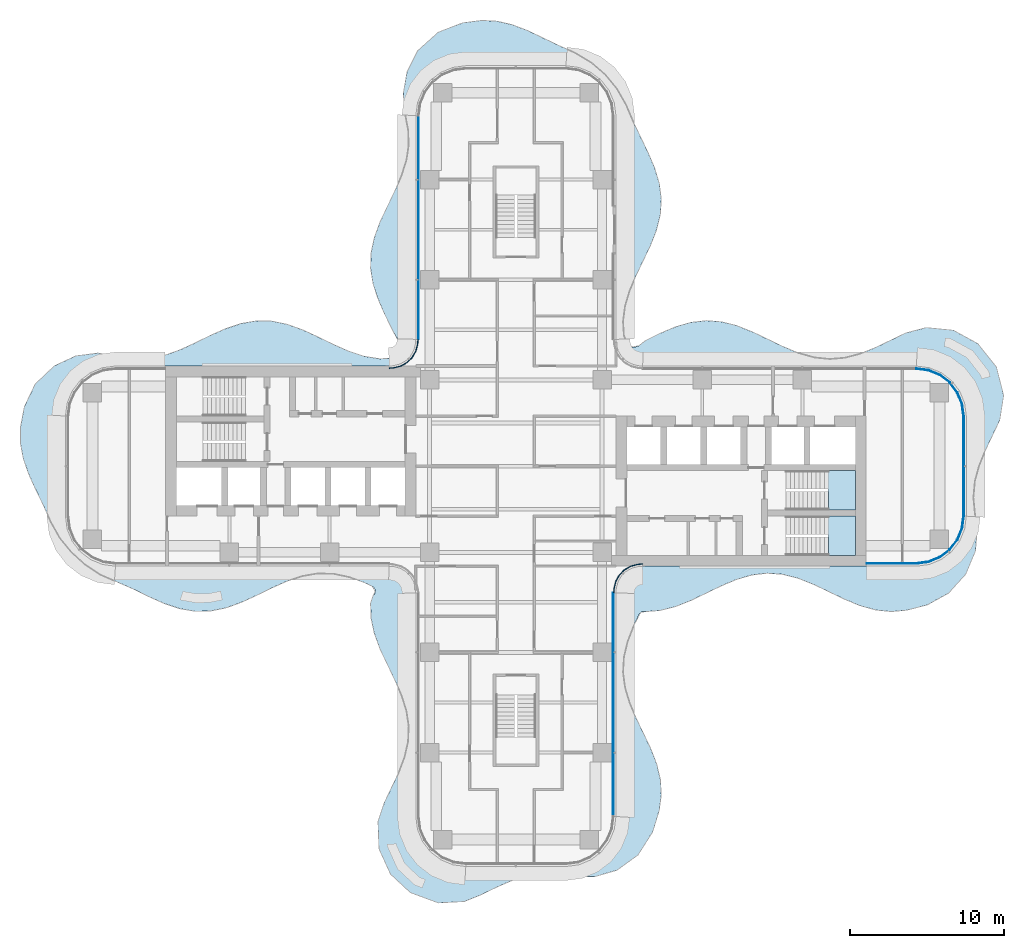
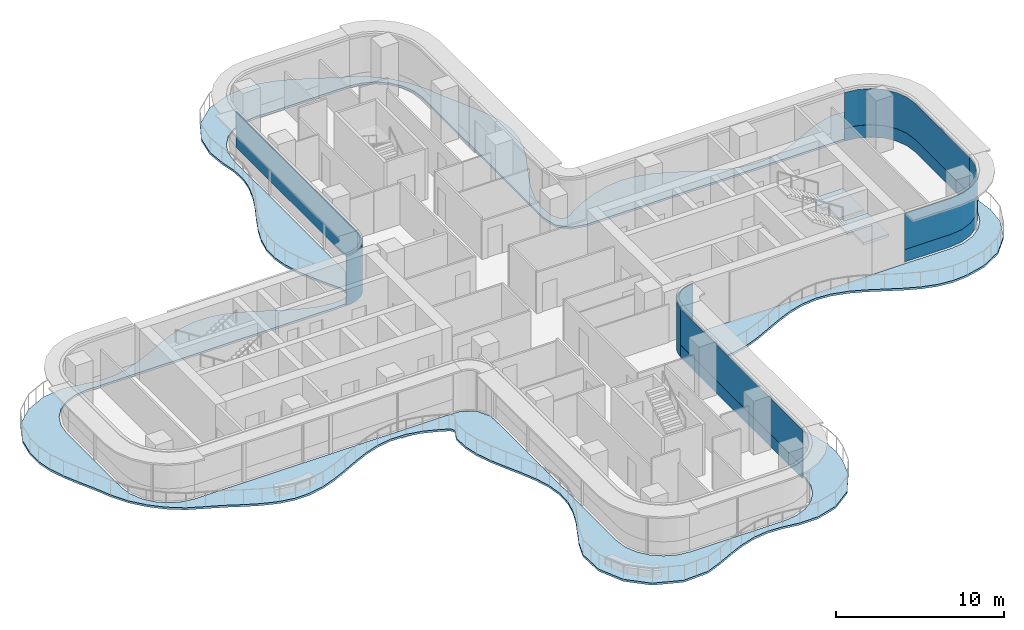
# One storey, part 10 of 17: 9 plates, 3 slabs, 8 elements without a shape of their own.
"""IFC4 building model written with IfcOpenShell, lengths in metres."""

import ifcopenshell
import ifcopenshell.guid

model = None  # the IFC model being written
_history = None  # IfcOwnerHistory: only IFC2X3 demands one
_inside = {}  # id of a spatial element -> (the spatial element, [elements in it])
_under = {}  # id of a project, library or spatial element -> (it, [spatial elements below it])
_declared = {}  # id of a project -> (the project, [libraries it declares])
_typed = {}  # id of a type object -> (the type object, [elements of that type])
_made_of = {}  # id of a material, layer set ... -> (it, [elements and type objects made of it])


def new_model(schema):
    """Start an empty IFC model of exactly this schema.

    Asked for "IFC4X3", IfcOpenShell would pick the latest addendum, in which some entities
    have other attributes; the version numbers below select the first issue.
    IFC2X3 requires an IfcOwnerHistory on every rooted entity: one is made here for all.
    """
    global model, _history
    if schema == "IFC4X3":
        model = ifcopenshell.file(schema_version=(4, 3, 0, 0))
    else:
        model = ifcopenshell.file(schema=schema)
    _inside.clear()
    _under.clear()
    _declared.clear()
    _typed.clear()
    _made_of.clear()
    _history = None
    if model.schema == "IFC2X3":
        org = make("IfcOrganization", Name="unknown")
        user = make(
            "IfcPersonAndOrganization",
            ThePerson=make("IfcPerson", FamilyName="unknown"),
            TheOrganization=org,
        )
        app = make(
            "IfcApplication",
            ApplicationDeveloper=org,
            Version="unknown",
            ApplicationFullName="unknown",
            ApplicationIdentifier="unknown",
        )
        _history = make(
            "IfcOwnerHistory",
            OwningUser=user,
            OwningApplication=app,
            ChangeAction="ADDED",
            CreationDate=0,
        )
    return model


def make(cls, **values):
    """One entity of the class cls with the attributes given. An attribute that is None is left unset."""
    return model.create_entity(
        cls, **{name: value for name, value in values.items() if value is not None}
    )


def rooted(cls, **values):
    """An entity with a GlobalId (a new one), such as an element, a storey or a relation."""
    return make(cls, GlobalId=ifcopenshell.guid.new(), OwnerHistory=_history, **values)


def si_unit(unit_type, name, prefix=None):
    """IfcSIUnit, for example si_unit("LENGTHUNIT", "METRE", prefix="MILLI")."""
    return make("IfcSIUnit", UnitType=unit_type, Prefix=prefix, Name=name)


def assignment(units):
    """IfcUnitAssignment: the units of a project."""
    return None if units is None else make("IfcUnitAssignment", Units=units)


def point(xyz):
    """IfcCartesianPoint."""
    return None if xyz is None else make("IfcCartesianPoint", Coordinates=xyz)


def direction(xyz):
    """IfcDirection."""
    return None if xyz is None else make("IfcDirection", DirectionRatios=xyz)


def frame(location, z_axis=None, x_axis=None):
    """IfcAxis2Placement3D, a coordinate frame: its origin and axes. An axis left out is left unset."""
    return make(
        "IfcAxis2Placement3D",
        Location=point(location),
        Axis=direction(z_axis),
        RefDirection=direction(x_axis),
    )


def origin():
    """The frame at (0, 0, 0) with its axes left unset."""
    return frame((0.0, 0.0, 0.0))


def place(relative_to, where):
    """IfcLocalPlacement: puts the frame where relative to a parent placement (None: the world)."""
    return make(
        "IfcLocalPlacement", PlacementRelTo=relative_to, RelativePlacement=where
    )


def context(
    kind, dimensions, precision=None, world=None, true_north=None, identifier=None
):
    """IfcGeometricRepresentationContext, for example the 3D "Model" context."""
    return make(
        "IfcGeometricRepresentationContext",
        ContextIdentifier=identifier,
        ContextType=kind,
        CoordinateSpaceDimension=dimensions,
        Precision=precision,
        WorldCoordinateSystem=world,
        TrueNorth=true_north,
    )


def subcontext(parent, identifier, kind, view, scale=None):
    """IfcGeometricRepresentationSubContext, for example "Body" below "Model"."""
    return make(
        "IfcGeometricRepresentationSubContext",
        ContextIdentifier=identifier,
        ContextType=kind,
        ParentContext=parent,
        TargetScale=scale,
        TargetView=view,
    )


def project(units=None, contexts=None):
    """IfcProject with its units and contexts."""
    return rooted(
        "IfcProject",
        Name="project",
        RepresentationContexts=contexts,
        UnitsInContext=assignment(units),
    )


def spatial(cls, under=None, at=None, **own):
    """A site, building, storey or space (cls), placed at a placement, below another one or the project."""
    s = rooted(cls, ObjectPlacement=at, **own)
    if under is not None:
        _under.setdefault(under.id(), (under, []))[1].append(s)
    return s


def polyline(points):
    """IfcPolyline through the points."""
    return make("IfcPolyline", Points=[point(p) for p in points])


def outline(outer, holes=None, kind="AREA"):
    """IfcArbitraryClosedProfileDef: a profile drawn as a closed curve; with holes, ...WithVoids."""
    if holes is None:
        return make("IfcArbitraryClosedProfileDef", ProfileType=kind, OuterCurve=outer)
    return make(
        "IfcArbitraryProfileDefWithVoids",
        ProfileType=kind,
        OuterCurve=outer,
        InnerCurves=holes,
    )


def extrude(swept, where, along, depth):
    """IfcExtrudedAreaSolid: the profile swept, set in the frame where, extruded along a direction by depth."""
    return make(
        "IfcExtrudedAreaSolid",
        SweptArea=swept,
        Position=where,
        ExtrudedDirection=direction(along),
        Depth=depth,
    )


def shape(context_of_items, identifier, shape_type, items):
    """IfcShapeRepresentation: the items that make up one representation, for example the "Body"."""
    return make(
        "IfcShapeRepresentation",
        ContextOfItems=context_of_items,
        RepresentationIdentifier=identifier,
        RepresentationType=shape_type,
        Items=items,
    )


def source(mapping_origin, context_of_items, identifier, shape_type, items):
    """IfcRepresentationMap: a shape defined once, which mapped items show again and again."""
    return make(
        "IfcRepresentationMap",
        MappingOrigin=mapping_origin,
        MappedRepresentation=shape(context_of_items, identifier, shape_type, items),
    )


def transform(
    local_origin,
    x_axis=None,
    y_axis=None,
    z_axis=None,
    scale=None,
    scale2=None,
    scale3=None,
    uniform=True,
):
    """IfcCartesianTransformationOperator3D, or its non-uniform kind. x_axis, y_axis, z_axis: its Axis1, 2, 3."""
    if uniform:
        return make(
            "IfcCartesianTransformationOperator3D",
            Axis1=direction(x_axis),
            Axis2=direction(y_axis),
            LocalOrigin=point(local_origin),
            Scale=scale,
            Axis3=direction(z_axis),
        )
    return make(
        "IfcCartesianTransformationOperator3DnonUniform",
        Axis1=direction(x_axis),
        Axis2=direction(y_axis),
        LocalOrigin=point(local_origin),
        Scale=scale,
        Axis3=direction(z_axis),
        Scale2=scale2,
        Scale3=scale3,
    )


def mapped(mapping_source, mapping_target):
    """IfcMappedItem: shows the shape of a source again, moved by a transform."""
    return make(
        "IfcMappedItem", MappingSource=mapping_source, MappingTarget=mapping_target
    )


def material(Name=None, Category=None):
    """IfcMaterial."""
    return make("IfcMaterial", Name=Name, Category=Category)


def layer(
    of_material, thickness, ventilated=None, Name=None, Category=None, Priority=None
):
    """IfcMaterialLayer: one layer of a wall or slab, of a material (None: an air gap)."""
    return make(
        "IfcMaterialLayer",
        Material=of_material,
        LayerThickness=thickness,
        IsVentilated=ventilated,
        Name=Name,
        Category=Category,
        Priority=Priority,
    )


def layer_set(layers, Name=None):
    """IfcMaterialLayerSet."""
    return make("IfcMaterialLayerSet", MaterialLayers=layers, LayerSetName=Name)


def made_of(thing, what):
    """Note that an element or type object is made of a material, layer set ...; save() writes the relation."""
    if what is not None:
        _made_of.setdefault(what.id(), (what, []))[1].append(thing)
    return thing


def type_object(cls, material=None, **own):
    """A type object (cls), such as IfcWallType, which elements share."""
    return made_of(rooted(cls, **own), material)


def element(
    cls,
    number,
    at=None,
    inside=None,
    cuts=None,
    type_object=None,
    material=None,
    context=None,
    identifier="Body",
    shape_type=None,
    held_by="IfcProductDefinitionShape",
    body=None,
    shapes=None,
    **own,
):
    """One element of the class cls, such as IfcWall. Its Tag is "e" and its number.

    at: its placement. inside: the storey or other place that contains it. cuts: it is an
    opening in that element (IfcRelVoidsElement). A single representation is given by context,
    identifier, shape_type and body (its items); several are given by shapes. held_by: the class
    of the entity that holds the representations. save() writes the other relations.
    """
    e = rooted(cls, Tag="e%d" % number, ObjectPlacement=at, **own)
    if body is not None:
        shapes = [shape(context, identifier, shape_type, body)]
    if shapes is not None:
        e.Representation = make(held_by, Representations=shapes)
    if inside is not None:
        _inside.setdefault(inside.id(), (inside, []))[1].append(e)
    if cuts is not None:
        rooted(
            "IfcRelVoidsElement", RelatingBuildingElement=cuts, RelatedOpeningElement=e
        )
    if type_object is not None:
        _typed.setdefault(type_object.id(), (type_object, []))[1].append(e)
    return made_of(e, material)


def aggregate(whole, parts):
    """IfcRelAggregates: a whole, such as a stair, and the parts it consists of."""
    return rooted("IfcRelAggregates", RelatingObject=whole, RelatedObjects=parts)


def save(model, path):
    """Write the relations noted so far, then the file.

    IfcRelAggregates (storeys below a building ...), IfcRelContainedInSpatialStructure (elements
    in a storey), IfcRelDefinesByType, IfcRelAssociatesMaterial and IfcRelDeclares: one each for
    every whole, place, type object, material and project.
    """
    for whole, parts in _under.values():
        aggregate(whole, parts)
    for where, things in _inside.values():
        rooted(
            "IfcRelContainedInSpatialStructure",
            RelatedElements=things,
            RelatingStructure=where,
        )
    for kind, things in _typed.values():
        rooted("IfcRelDefinesByType", RelatedObjects=things, RelatingType=kind)
    for what, things in _made_of.values():
        rooted("IfcRelAssociatesMaterial", RelatedObjects=things, RelatingMaterial=what)
    for by, libraries in _declared.values():
        rooted("IfcRelDeclares", RelatingContext=by, RelatedDefinitions=libraries)
    model.write(path)


model = new_model("IFC4")

# Units and contexts
model_context = context("Model", 3, precision=1e-05, world=origin(), true_north=direction((0.0, 1.0)))
body_context = subcontext(model_context, "Body", "Model", "MODEL_VIEW")
ifc_project = project(units=[si_unit("LENGTHUNIT", "METRE"), si_unit("AREAUNIT", "SQUARE_METRE"), si_unit("VOLUMEUNIT", "CUBIC_METRE"), si_unit("PLANEANGLEUNIT", "RADIAN"), si_unit("MASSUNIT", "GRAM", prefix="KILO")], contexts=[model_context])

# Site, building, storey
site_placement = place(None, origin())
site = spatial("IfcSite", under=ifc_project, at=site_placement, CompositionType="ELEMENT")
building_placement = place(site_placement, origin())
building = spatial("IfcBuilding", under=site, at=building_placement, Name="Trellis Farm Tower", CompositionType="ELEMENT")
storey_placement = place(building_placement, frame((0.0, 0.0, 173.699951171875)))
storey = spatial("IfcBuildingStorey", under=building, at=storey_placement, Name="L37", CompositionType="ELEMENT", Elevation=173.699951171875)

# Slab
ifc_material_1 = material(Name="Concrete C40/50", Category="concrete")
ifc_layer_1 = layer(ifc_material_1, 0.14990234375)
ifc_layer_set_1 = layer_set([ifc_layer_1], Name="Balcony slab 150")
slab_type_1 = type_object("IfcSlabType", Name="Balcony slab 150", PredefinedType="FLOOR", material=ifc_layer_set_1)
slab_1_placement = place(storey_placement, frame((0.0, 0.0, -0.14990234375)))
element("IfcSlab", 1, at=slab_1_placement, inside=storey, type_object=slab_type_1, Name="Balcony slab", PredefinedType="FLOOR", context=body_context, shape_type="SweptSolid", body=[
    extrude(outline(polyline([(-9.12890625, -8.095947265625), (-9.172607421875, -7.94970703125), (-9.19482421875, -7.915283203125), (-9.318115234375, -7.808349609375), (-9.3359375, -7.796875), (-9.8720703125, -7.55078125), (-9.877685546875, -7.548583984375), (-10.83154296875, -7.202880859375), (-10.841552734375, -7.2001953125), (-11.82080078125, -6.993408203125), (-11.834716796875, -6.991943359375), (-12.8837890625, -6.970703125), (-12.89794921875, -6.971923828125), (-13.877685546875, -7.14208984375), (-13.888427734375, -7.144775390625), (-14.8369140625, -7.4609375), (-14.84375, -7.463623046875), (-15.848876953125, -7.91015625), (-15.851318359375, -7.911376953125), (-16.851318359375, -8.401123046875), (-16.854736328125, -8.40283203125), (-17.84130859375, -8.855712890625), (-17.853515625, -8.860595703125), (-18.831298828125, -9.210693359375), (-18.85205078125, -9.21630859375), (-19.822998046875, -9.412841796875), (-19.8505859375, -9.415771484375), (-20.8212890625, -9.431396484375), (-20.84912109375, -9.42919921875), (-21.826416015625, -9.259765625), (-21.8486328125, -9.254150390625), (-22.835205078125, -8.922119140625), (-22.848876953125, -8.916748046875), (-23.84423828125, -8.470458984375), (-23.848876953125, -8.46826171875), (-24.853271484375, -7.976318359375), (-24.856201171875, -7.974853515625), (-26.9853515625, -7.049072265625), (-27.0087890625, -7.036376953125), (-27.98779296875, -6.38427734375), (-28.005859375, -6.3701171875), (-28.8544921875, -5.59521484375), (-28.869140625, -5.579833984375), (-29.59130859375, -4.705810546875), (-29.606201171875, -4.68408203125), (-30.201416015625, -3.6279296875), (-30.2080078125, -3.61474609375), (-30.69677734375, -2.506103515625), (-30.697998046875, -2.503173828125), (-31.188232421875, -1.503173828125), (-31.190185546875, -1.4990234375), (-31.63720703125, -0.51318359375), (-31.642333984375, -0.50048828125), (-31.982177734375, 0.476806640625), (-31.98779296875, 0.498291015625), (-32.1708984375, 1.46875), (-32.173583984375, 1.496826171875), (-32.172119140625, 2.49951171875), (-32.16943359375, 2.52685546875), (-31.926513671875, 3.822265625), (-31.91455078125, 3.859375), (-31.210693359375, 5.330078125), (-31.19677734375, 5.353759765625), (-31.17578125, 5.38232421875), (-31.1572265625, 5.403564453125), (-30.00439453125, 6.4814453125), (-29.965576171875, 6.5078125), (-28.590087890625, 7.150390625), (-28.545654296875, 7.163330078125), (-27.14111328125, 7.341064453125), (-27.09814453125, 7.34033203125), (-24.82275390625, 6.97119140625), (-24.8095703125, 6.97021484375), (-23.823974609375, 6.9853515625), (-23.810791015625, 6.98681640625), (-22.880615234375, 7.170166015625), (-22.8701171875, 7.1728515625), (-21.840087890625, 7.53564453125), (-21.833740234375, 7.5380859375), (-20.848388671875, 7.9892578125), (-20.8466796875, 7.989990234375), (-19.85205078125, 8.4775390625), (-19.847412109375, 8.479736328125), (-18.867919921875, 8.918212890625), (-18.85400390625, 8.923583984375), (-17.85205078125, 9.259033203125), (-17.82958984375, 9.264892578125), (-16.8525390625, 9.430908203125), (-16.824462890625, 9.432861328125), (-15.853759765625, 9.413818359375), (-15.82666015625, 9.41064453125), (-14.879638671875, 9.217529296875), (-14.85888671875, 9.2119140625), (-13.856689453125, 8.8525390625), (-13.8447265625, 8.84765625), (-12.858154296875, 8.3935546875), (-12.854736328125, 8.391845703125), (-11.8544921875, 7.902099609375), (-11.851806640625, 7.90087890625), (-10.879150390625, 7.468505859375), (-10.872314453125, 7.4658203125), (-9.892333984375, 7.139892578125), (-9.880615234375, 7.13720703125), (-8.830078125, 6.967529296875), (-8.813720703125, 6.966796875), (-8.1044921875, 7.0107421875), (-8.07861328125, 7.01708984375), (-7.87744140625, 7.10791015625), (-7.85546875, 7.123046875), (-7.623046875, 7.355712890625), (-7.612060546875, 7.36962890625), (-7.540283203125, 7.487060546875), (-7.52978515625, 7.52001953125), (-7.51953125, 7.6572265625), (-7.520263671875, 7.675048828125), (-7.57373046875, 8.000244140625), (-7.576904296875, 8.0126953125), (-7.612060546875, 8.114013671875), (-7.617431640625, 8.12548828125), (-8.025146484375, 8.859619140625), (-8.02880859375, 8.86669921875), (-8.514404296875, 9.858642578125), (-8.51708984375, 9.864013671875), (-8.94873046875, 10.84228515625), (-8.9541015625, 10.8564453125), (-9.272216796875, 11.832275390625), (-9.27783203125, 11.85498046875), (-9.43408203125, 12.8251953125), (-9.43603515625, 12.853515625), (-9.408203125, 13.8251953125), (-9.405029296875, 13.852294921875), (-9.195068359375, 14.83154296875), (-9.189208984375, 14.85205078125), (-8.825439453125, 15.8408203125), (-8.82080078125, 15.85205078125), (-8.357421875, 16.849365234375), (-8.356201171875, 16.85205078125), (-7.871337890625, 17.843505859375), (-7.869873046875, 17.84619140625), (-7.438720703125, 18.830322265625), (-7.435791015625, 18.837890625), (-7.10791015625, 19.87158203125), (-7.10546875, 19.883056640625), (-6.964599609375, 20.809326171875), (-6.9638671875, 20.822998046875), (-6.996337890625, 21.815185546875), (-6.997802734375, 21.826904296875), (-7.205322265625, 22.910888671875), (-7.20751953125, 22.926513671875), (-7.312255859375, 24.1748046875), (-7.310546875, 24.213134765625), (-7.070068359375, 25.594970703125), (-7.055908203125, 25.63720703125), (-6.38134765625, 26.96826171875), (-6.365966796875, 26.99267578125), (-6.34375, 27.02099609375), (-6.324462890625, 27.04150390625), (-5.05908203125, 28.156494140625), (-5.03759765625, 28.172607421875), (-5.007568359375, 28.190673828125), (-4.9833984375, 28.202392578125), (-3.464599609375, 28.779296875), (-3.430419921875, 28.787841796875), (-2.24609375, 28.94091796875), (-2.219482421875, 28.942138671875), (-1.246826171875, 28.89404296875), (-1.220703125, 28.890380859375), (-0.271240234375, 28.671630859375), (-0.251953125, 28.665771484375), (0.74951171875, 28.287109375), (0.76123046875, 28.281982421875), (2.751708984375, 27.3291015625), (2.753173828125, 27.32861328125), (3.843017578125, 26.83544921875), (3.8583984375, 26.827392578125), (4.9150390625, 26.193115234375), (4.936279296875, 26.177734375), (5.802490234375, 25.4248046875), (5.81982421875, 25.406982421875), (6.5537109375, 24.513427734375), (6.568115234375, 24.492431640625), (7.149658203125, 23.470947265625), (7.157470703125, 23.45556640625), (7.63134765625, 22.343017578125), (7.6328125, 22.340087890625), (8.583984375, 20.356201171875), (8.586669921875, 20.350341796875), (9.00732421875, 19.36669921875), (9.012939453125, 19.351318359375), (9.30859375, 18.376708984375), (9.313720703125, 18.3525390625), (9.44384765625, 17.349609375), (9.44482421875, 17.32080078125), (9.3828125, 16.350830078125), (9.378662109375, 16.32470703125), (9.140380859375, 15.352294921875), (9.134521484375, 15.333740234375), (8.75341796875, 14.35400390625), (8.748779296875, 14.343505859375), (7.799560546875, 12.36572265625), (7.798095703125, 12.362548828125), (7.380615234375, 11.37890625), (7.3779296875, 11.37109375), (7.085205078125, 10.391357421875), (7.082763671875, 10.37939453125), (6.95703125, 9.39892578125), (6.95654296875, 9.385009765625), (7.014404296875, 8.460205078125), (7.017578125, 8.44287109375), (7.059814453125, 8.306396484375), (7.066650390625, 8.29052734375), (7.284912109375, 7.919677734375), (7.297119140625, 7.904052734375), (7.40771484375, 7.79638671875), (7.441650390625, 7.777587890625), (7.591552734375, 7.740966796875), (7.611328125, 7.739013671875), (7.77587890625, 7.743408203125), (7.799560546875, 7.748046875), (7.986328125, 7.81689453125), (8.0068359375, 7.828369140625), (8.39697265625, 8.13671875), (8.4228515625, 8.1533203125), (9.362060546875, 8.623046875), (9.37109375, 8.627197265625), (10.362060546875, 9.042236328125), (10.37841796875, 9.048095703125), (11.362060546875, 9.3310546875), (11.38671875, 9.3359375), (12.361083984375, 9.446044921875), (12.389892578125, 9.446533203125), (13.35986328125, 9.3701171875), (13.38525390625, 9.365966796875), (14.337158203125, 9.121826171875), (14.35498046875, 9.115966796875), (15.356689453125, 8.718994140625), (15.3662109375, 8.71484375), (17.343994140625, 7.764404296875), (17.34765625, 7.7626953125), (18.330810546875, 7.35302734375), (18.339111328125, 7.35009765625), (19.376220703125, 7.057861328125), (19.388916015625, 7.055419921875), (20.37841796875, 6.9541015625), (20.392822265625, 6.953857421875), (21.37451171875, 7.041015625), (21.386962890625, 7.043212890625), (22.32470703125, 7.28955078125), (22.33349609375, 7.29248046875), (23.357421875, 7.70166015625), (23.3623046875, 7.70361328125), (25.3193359375, 8.644775390625), (25.346435546875, 8.65478515625), (26.63671875, 8.991943359375), (26.6630859375, 8.996337890625), (26.697265625, 8.998779296875), (26.723876953125, 8.99853515625), (28.34130859375, 8.835205078125), (28.37060546875, 8.829345703125), (28.40771484375, 8.81787109375), (28.435302734375, 8.80615234375), (29.990478515625, 7.954345703125), (30.015625, 7.93701171875), (30.045654296875, 7.91162109375), (30.06689453125, 7.889404296875), (31.197265625, 6.438232421875), (31.2138671875, 6.411376953125), (31.231689453125, 6.374755859375), (31.2421875, 6.34521484375), (31.67041015625, 4.597412109375), (31.674560546875, 4.567626953125), (31.676025390625, 4.529296875), (31.674072265625, 4.49853515625), (31.427978515625, 3.018798828125), (31.415283203125, 2.97900390625), (30.470703125, 0.9912109375), (30.468994140625, 0.9873046875), (30.075927734375, 0.02392578125), (30.072998046875, 0.015380859375), (29.803955078125, -0.9638671875), (29.801513671875, -0.976806640625), (29.703857421875, -2.024658203125), (29.7041015625, -2.038818359375), (29.797119140625, -2.995361328125), (29.79736328125, -2.997802734375), (29.952392578125, -4.170654296875), (29.953125, -4.202880859375), (29.843017578125, -5.502197265625), (29.831787109375, -5.547607421875), (29.23193359375, -6.981201171875), (29.205078125, -7.023681640625), (28.13134765625, -8.220947265625), (28.09228515625, -8.252197265625), (26.719970703125, -9.009521484375), (26.684326171875, -9.0234375), (25.373046875, -9.3564453125), (25.349365234375, -9.360595703125), (24.3798828125, -9.447021484375), (24.351318359375, -9.447021484375), (23.377197265625, -9.347412109375), (23.35205078125, -9.3427734375), (22.349609375, -9.06201171875), (22.33251953125, -9.05615234375), (21.3505859375, -8.649169921875), (21.343017578125, -8.645751953125), (19.365478515625, -7.695068359375), (19.361083984375, -7.693115234375), (18.37890625, -7.2998046875), (18.36962890625, -7.296630859375), (17.33056640625, -7.029541015625), (17.3173828125, -7.02734375), (16.3291015625, -6.955078125), (16.31494140625, -6.955322265625), (15.333984375, -7.070556640625), (15.322021484375, -7.072998046875), (14.34228515625, -7.35693359375), (14.33447265625, -7.35986328125), (13.35107421875, -7.771484375), (13.347412109375, -7.773193359375), (11.369873046875, -8.723388671875), (11.35986328125, -8.727783203125), (10.358642578125, -9.122314453125), (10.340087890625, -9.12841796875), (9.358642578125, -9.374267578125), (9.33349609375, -9.37841796875), (8.484619140625, -9.44287109375), (8.444091796875, -9.4404296875), (8.39599609375, -9.430908203125), (8.37939453125, -9.429443359375), (8.251220703125, -9.4326171875), (8.219970703125, -9.4404296875), (8.11279296875, -9.494384765625), (8.087646484375, -9.514892578125), (8.0087890625, -9.615966796875), (8.0, -9.6298828125), (7.6513671875, -10.36669921875), (7.649169921875, -10.371826171875), (7.260498046875, -11.37451171875), (7.257568359375, -11.384033203125), (7.01708984375, -12.380615234375), (7.01513671875, -12.393798828125), (6.957275390625, -13.38134765625), (6.957763671875, -13.3955078125), (7.0869140625, -14.3759765625), (7.089599609375, -14.387939453125), (7.385009765625, -15.36767578125), (7.3876953125, -15.37548828125), (7.806884765625, -16.359130859375), (7.808349609375, -16.3623046875), (8.757080078125, -18.33984375), (8.76171875, -18.350830078125), (9.1474609375, -19.35205078125), (9.1533203125, -19.371337890625), (9.38623046875, -20.351806640625), (9.39013671875, -20.37841796875), (9.443115234375, -21.350830078125), (9.44189453125, -21.37939453125), (9.309814453125, -22.34912109375), (9.3046875, -22.37255859375), (8.8935546875, -23.721923828125), (8.877197265625, -23.758056640625), (7.971923828125, -25.20068359375), (7.954833984375, -25.222900390625), (7.930419921875, -25.24951171875), (7.90869140625, -25.2685546875), (6.6005859375, -26.22119140625), (6.55419921875, -26.243896484375), (5.157958984375, -26.65185546875), (5.1171875, -26.65771484375), (3.864501953125, -26.66796875), (3.84130859375, -26.66650390625), (2.76806640625, -26.5087890625), (2.760986328125, -26.508056640625), (1.788818359375, -26.457763671875), (1.77490234375, -26.458251953125), (0.783447265625, -26.592041015625), (0.771484375, -26.594482421875), (-0.26318359375, -26.913818359375), (-0.270751953125, -26.91650390625), (-1.254638671875, -27.3427734375), (-1.2578125, -27.34423828125), (-2.2490234375, -27.827880859375), (-2.2587890625, -27.83203125), (-3.344970703125, -28.2705078125), (-3.393798828125, -28.28125), (-5.0341796875, -28.361572265625), (-5.0654296875, -28.35986328125), (-5.103759765625, -28.353759765625), (-5.13330078125, -28.345703125), (-6.830322265625, -27.701416015625), (-6.8564453125, -27.6884765625), (-6.888671875, -27.66845703125), (-6.911865234375, -27.650634765625), (-8.1201171875, -26.5166015625), (-8.139404296875, -26.494384765625), (-8.161865234375, -26.463134765625), (-8.176513671875, -26.4375), (-8.87890625, -24.876220703125), (-8.888427734375, -24.848388671875), (-8.89697265625, -24.8115234375), (-8.900634765625, -24.782470703125), (-8.954345703125, -23.106201171875), (-8.95263671875, -23.079345703125), (-8.947509765625, -23.044677734375), (-8.941162109375, -23.018310546875), (-8.548095703125, -21.866943359375), (-8.54150390625, -21.8505859375), (-7.5947265625, -19.865478515625), (-7.592041015625, -19.859619140625), (-7.225830078125, -18.87841796875), (-7.222900390625, -18.868408203125), (-7.00341796875, -17.88916015625), (-7.001708984375, -17.8759765625), (-6.961181640625, -16.892578125), (-6.9619140625, -16.878662109375), (-7.110107421875, -15.886474609375), (-7.11279296875, -15.874755859375), (-7.430419921875, -14.874755859375), (-7.43310546875, -14.867431640625), (-7.873046875, -13.86279296875), (-7.874267578125, -13.860107421875), (-8.365478515625, -12.85546875), (-8.366943359375, -12.8525390625), (-8.823486328125, -11.86865234375), (-8.828125, -11.857177734375), (-9.195068359375, -10.85498046875), (-9.20068359375, -10.8349609375), (-9.403564453125, -9.886962890625), (-9.406982421875, -9.8603515625), (-9.436279296875, -8.9072265625), (-9.434326171875, -8.878173828125), (-9.42822265625, -8.841552734375), (-9.4208984375, -8.81396484375), (-9.289306640625, -8.459716796875), (-9.266357421875, -8.418701171875), (-9.18505859375, -8.31591796875), (-9.171630859375, -8.289794921875), (-9.128662109375, -8.13671875), (-9.12890625, -8.095947265625)]), holes=[polyline([(-7.816650390625, -6.56640625), (-7.064453125, -6.959228515625), (-7.02783203125, -6.986083984375), (-6.988037109375, -7.02587890625), (-6.961181640625, -7.0625), (-6.5673828125, -7.81396484375), (-6.555419921875, -7.8447265625), (-6.54443359375, -7.885498046875), (-6.539306640625, -7.918212890625), (-6.50048828125, -8.84814453125), (-6.50048828125, -22.75), (-6.389892578125, -23.59130859375), (-6.065185546875, -24.375244140625), (-5.548583984375, -25.048583984375), (-4.875244140625, -25.565185546875), (-4.09130859375, -25.889892578125), (-3.25, -26.00048828125), (3.25, -26.00048828125), (4.09130859375, -25.889892578125), (4.875244140625, -25.565185546875), (5.548583984375, -25.048583984375), (6.065185546875, -24.375244140625), (6.389892578125, -23.59130859375), (6.50048828125, -22.75), (6.50048828125, -8.386962890625), (6.503173828125, -8.362548828125), (6.68798828125, -7.46533203125), (6.702880859375, -7.424072265625), (6.728515625, -7.376953125), (6.75439453125, -7.34228515625), (7.344482421875, -6.753173828125), (7.379150390625, -6.727294921875), (7.426513671875, -6.70166015625), (7.4677734375, -6.686767578125), (8.365234375, -6.5029296875), (8.389404296875, -6.50048828125), (26.0, -6.50048828125), (26.84130859375, -6.389892578125), (27.625244140625, -6.065185546875), (28.298583984375, -5.548583984375), (28.815185546875, -4.875244140625), (29.139892578125, -4.09130859375), (29.25048828125, -3.25), (29.25048828125, 3.25), (29.139892578125, 4.09130859375), (28.815185546875, 4.875244140625), (28.298583984375, 5.548583984375), (27.625244140625, 6.065185546875), (26.84130859375, 6.389892578125), (26.0, 6.50048828125), (8.389404296875, 6.50048828125), (8.365234375, 6.5029296875), (7.4677734375, 6.686767578125), (7.426513671875, 6.70166015625), (7.379150390625, 6.727294921875), (7.344482421875, 6.753173828125), (6.75439453125, 7.34228515625), (6.728515625, 7.376953125), (6.702880859375, 7.424072265625), (6.68798828125, 7.46533203125), (6.503173828125, 8.362548828125), (6.50048828125, 8.386962890625), (6.50048828125, 22.75), (6.389892578125, 23.59130859375), (6.065185546875, 24.375244140625), (5.548583984375, 25.048583984375), (4.875244140625, 25.565185546875), (4.09130859375, 25.889892578125), (3.25, 26.00048828125), (-3.25, 26.00048828125), (-4.09130859375, 25.889892578125), (-4.875244140625, 25.565185546875), (-5.548583984375, 25.048583984375), (-6.065185546875, 24.375244140625), (-6.389892578125, 23.59130859375), (-6.50048828125, 22.75), (-6.50048828125, 8.844482421875), (-6.539306640625, 7.918212890625), (-6.544189453125, 7.8857421875), (-6.555419921875, 7.8447265625), (-6.5673828125, 7.81396484375), (-6.961181640625, 7.0625), (-6.988037109375, 7.02587890625), (-7.02783203125, 6.986083984375), (-7.064453125, 6.959228515625), (-7.816650390625, 6.56640625), (-7.847412109375, 6.5546875), (-7.88818359375, 6.543701171875), (-7.9208984375, 6.538818359375), (-8.84716796875, 6.50048828125), (-26.0, 6.50048828125), (-26.84130859375, 6.389892578125), (-27.625244140625, 6.065185546875), (-28.298583984375, 5.548583984375), (-28.815185546875, 4.875244140625), (-29.139892578125, 4.09130859375), (-29.25048828125, 3.25), (-29.25048828125, -3.25), (-29.139892578125, -4.09130859375), (-28.815185546875, -4.875244140625), (-28.298583984375, -5.548583984375), (-27.625244140625, -6.065185546875), (-26.84130859375, -6.389892578125), (-26.0, -6.50048828125), (-8.8505859375, -6.50048828125), (-7.9208984375, -6.538818359375), (-7.88818359375, -6.543701171875), (-7.847412109375, -6.5546875), (-7.816650390625, -6.56640625)])]), origin(), (0.0, 0.0, 1.0), 0.14990234375),
])

# Stair, slab
ifc_material_2 = material(Name="Concrete C50/60", Category="concrete")
stair_type = type_object("IfcStairType", Name="CORE EXIT STAIR 22 RISERS 177 MM", PredefinedType="HALF_TURN_STAIR", material=ifc_material_2)
placement_1 = place(storey_placement, origin())
stair_1 = element("IfcStair", 2, at=placement_1, inside=storey, type_object=stair_type, Name="Exit stair E1", PredefinedType="HALF_TURN_STAIR")
ifc_layer_2 = layer(ifc_material_2, 0.18994140625)
ifc_layer_set_2 = layer_set([ifc_layer_2], Name="CORE STAIR LANDING 190 CONCRETE C50/60")
slab_type_2 = type_object("IfcSlabType", Name="CORE STAIR LANDING 190 CONCRETE C50/60", PredefinedType="LANDING", material=ifc_layer_set_2)
shared_shape_1 = source(origin(), body_context, "Body", "SweptSolid", [
    extrude(outline(polyline([(20.2900390625, -5.800048828125), (20.2900390625, -4.60009765625), (20.300048828125, -4.60009765625), (20.300048828125, -4.449951171875), (19.971923828125, -4.449951171875), (19.971923828125, -3.25), (20.300048828125, -3.25), (22.050048828125, -3.25), (22.050048828125, -5.800048828125), (20.300048828125, -5.800048828125), (20.2900390625, -5.800048828125)])), origin(), (0.0, 0.0, 1.0), 0.18994140625),
])
placement_2 = place(storey_placement, frame((0.0, 0.0, 1.760009765625)))
slab_2 = element("IfcSlab", 3, at=placement_2, type_object=slab_type_2, Name="STE1 landing 1", PredefinedType="LANDING", context=body_context, shape_type="MappedRepresentation", body=[
    mapped(shared_shape_1, transform((0.0, 0.0, 0.0))),
])
aggregate(stair_1, [slab_2])

stair_2 = element("IfcStair", 4, at=placement_1, inside=storey, type_object=stair_type, Name="Exit stair E2", PredefinedType="HALF_TURN_STAIR")
shared_shape_2 = source(origin(), body_context, "Body", "SweptSolid", [
    extrude(outline(polyline([(20.2900390625, -2.85009765625), (20.2900390625, -1.64990234375), (20.300048828125, -1.64990234375), (20.300048828125, -1.5), (19.971923828125, -1.5), (19.971923828125, -0.300048828125), (20.300048828125, -0.300048828125), (22.050048828125, -0.300048828125), (22.050048828125, -2.85009765625), (20.300048828125, -2.85009765625), (20.2900390625, -2.85009765625)])), origin(), (0.0, 0.0, 1.0), 0.18994140625),
])
slab_3 = element("IfcSlab", 5, at=placement_2, type_object=slab_type_2, Name="STE2 landing 1", PredefinedType="LANDING", context=body_context, shape_type="MappedRepresentation", body=[
    mapped(shared_shape_2, transform((0.0, 0.0, 0.0))),
])
aggregate(stair_2, [slab_3])

# Curtain wall, plate
ifc_material_3 = material(Name="Aluminium and glass curtain wall", Category="aluminium")
ifc_layer_3 = layer(ifc_material_3, 0.166015625)
ifc_layer_set_3 = layer_set([ifc_layer_3], Name="WINTER GARDEN CURTAIN WALL CW3")
curtain_wall_type_1 = type_object("IfcCurtainWallType", Name="WINTER GARDEN CURTAIN WALL CW3", PredefinedType="NOTDEFINED", material=ifc_layer_set_3)
curtain_wall_1 = element("IfcCurtainWall", 6, at=placement_1, inside=storey, type_object=curtain_wall_type_1, Name="CW3 002", PredefinedType="NOTDEFINED")
ifc_material_4 = material(Name="Clear insulated glass", Category="glass")
ifc_layer_4 = layer(ifc_material_4, 0.0458984375)
ifc_layer_set_4 = layer_set([ifc_layer_4], Name="CW3 GLASS PANEL 46")
plate_type_1 = type_object("IfcPlateType", Name="CW3 GLASS PANEL 46", PredefinedType="CURTAIN_PANEL", material=ifc_layer_set_4)
shared_shape_3 = source(origin(), body_context, "Body", "SweptSolid", [
    extrude(outline(polyline([(6.3798828125, -8.2275390625), (6.394287109375, -8.0078125), (6.40966796875, -7.89208984375), (6.52490234375, -7.462158203125), (6.7509765625, -7.070556640625), (7.070556640625, -6.7509765625), (7.462158203125, -6.52490234375), (7.89208984375, -6.40966796875), (8.0078125, -6.394287109375), (8.2275390625, -6.3798828125), (8.22607421875, -6.333984375), (8.003173828125, -6.3486328125), (7.883056640625, -6.364501953125), (7.4443359375, -6.48193359375), (7.04248046875, -6.714111328125), (6.714111328125, -7.04248046875), (6.48193359375, -7.4443359375), (6.364501953125, -7.883056640625), (6.3486328125, -8.003173828125), (6.333984375, -8.22607421875), (6.3798828125, -8.2275390625)])), origin(), (0.0, 0.0, 1.0), 3.550048828125),
])
plate_1 = element("IfcPlate", 7, at=placement_1, type_object=plate_type_1, Name="PL3 002", PredefinedType="CURTAIN_PANEL", context=body_context, shape_type="MappedRepresentation", body=[
    mapped(shared_shape_3, transform((0.0, 0.0, 0.0))),
])
aggregate(curtain_wall_1, [plate_1])

curtain_wall_2 = element("IfcCurtainWall", 8, at=placement_1, inside=storey, type_object=curtain_wall_type_1, Name="CW3 004", PredefinedType="NOTDEFINED")
shared_shape_4 = source(origin(), body_context, "Body", "SweptSolid", [
    extrude(outline(polyline([(-6.3798828125, 8.2275390625), (-6.394287109375, 8.0078125), (-6.40966796875, 7.89208984375), (-6.52490234375, 7.462158203125), (-6.7509765625, 7.070556640625), (-7.070556640625, 6.7509765625), (-7.462158203125, 6.52490234375), (-7.89208984375, 6.40966796875), (-8.0078125, 6.394287109375), (-8.2275390625, 6.3798828125), (-8.22607421875, 6.333984375), (-8.003173828125, 6.3486328125), (-7.883056640625, 6.364501953125), (-7.4443359375, 6.48193359375), (-7.04248046875, 6.714111328125), (-6.714111328125, 7.04248046875), (-6.48193359375, 7.4443359375), (-6.364501953125, 7.883056640625), (-6.3486328125, 8.003173828125), (-6.333984375, 8.22607421875), (-6.3798828125, 8.2275390625)])), origin(), (0.0, 0.0, 1.0), 3.550048828125),
])
plate_2 = element("IfcPlate", 9, at=placement_1, type_object=plate_type_1, Name="PL3 004", PredefinedType="CURTAIN_PANEL", context=body_context, shape_type="MappedRepresentation", body=[
    mapped(shared_shape_4, transform((0.0, 0.0, 0.0))),
])
aggregate(curtain_wall_2, [plate_2])

# Curtain wall, plates
ifc_layer_5 = layer(ifc_material_3, 0.18994140625)
ifc_layer_set_5 = layer_set([ifc_layer_5], Name="RIBBON CURTAIN WALL CW1")
curtain_wall_type_2 = type_object("IfcCurtainWallType", Name="RIBBON CURTAIN WALL CW1", PredefinedType="NOTDEFINED", material=ifc_layer_set_5)
curtain_wall_3 = element("IfcCurtainWall", 10, at=placement_1, inside=storey, type_object=curtain_wall_type_2, Name="CW1 005", PredefinedType="NOTDEFINED")
ifc_layer_6 = layer(ifc_material_4, 0.0400390625)
ifc_layer_set_6 = layer_set([ifc_layer_6], Name="CW1 GLASS PANEL 40")
plate_type_2 = type_object("IfcPlateType", Name="CW1 GLASS PANEL 40", PredefinedType="CURTAIN_PANEL", material=ifc_layer_set_6)
shared_shape_5 = source(origin(), body_context, "Body", "SweptSolid", [
    extrude(outline(polyline([(22.780029296875, -6.35009765625), (25.990234375, -6.35009765625), (26.802001953125, -6.2431640625), (27.54931640625, -5.93359375), (28.191162109375, -5.441162109375), (28.68359375, -4.79931640625), (28.9931640625, -4.052001953125), (29.10009765625, -3.240234375), (29.06005859375, -3.237548828125), (28.9541015625, -4.04150390625), (28.648681640625, -4.779296875), (28.16259765625, -5.41259765625), (27.529296875, -5.898681640625), (26.79150390625, -6.2041015625), (25.987548828125, -6.31005859375), (22.780029296875, -6.31005859375), (22.780029296875, -6.35009765625)])), origin(), (0.0, 0.0, 1.0), 2.619873046875),
])
placement_3 = place(storey_placement, frame((0.0, 0.0, 0.900146484375)))
plate_3 = element("IfcPlate", 11, at=placement_3, type_object=plate_type_2, Name="PL1 005", PredefinedType="CURTAIN_PANEL", context=body_context, shape_type="MappedRepresentation", body=[
    mapped(shared_shape_5, transform((0.0, 0.0, 0.0))),
])
ifc_material_5 = material(Name="Sandstone faced insulated panel", Category="masonry")
ifc_layer_7 = layer(ifc_material_5, 0.050048828125)
ifc_layer_set_7 = layer_set([ifc_layer_7], Name="CW1 STONE SPANDREL PANEL 50")
plate_type_3 = type_object("IfcPlateType", Name="CW1 STONE SPANDREL PANEL 50", PredefinedType="CURTAIN_PANEL", material=ifc_layer_set_7)
shared_shape_6 = source(origin(), body_context, "Body", "SweptSolid", [
    extrude(outline(polyline([(22.780029296875, -6.35009765625), (25.990234375, -6.35009765625), (26.802001953125, -6.2431640625), (27.54931640625, -5.93359375), (28.191162109375, -5.441162109375), (28.68359375, -4.79931640625), (28.9931640625, -4.052001953125), (29.10009765625, -3.240234375), (29.050048828125, -3.23681640625), (28.9443359375, -4.0390625), (28.639892578125, -4.774169921875), (28.155517578125, -5.405517578125), (27.524169921875, -5.889892578125), (26.7890625, -6.1943359375), (25.98681640625, -6.300048828125), (22.780029296875, -6.300048828125), (22.780029296875, -6.35009765625)])), origin(), (0.0, 0.0, 1.0), 0.900146484375),
])
plate_4 = element("IfcPlate", 12, at=placement_1, type_object=plate_type_3, Name="PS1 005", PredefinedType="CURTAIN_PANEL", context=body_context, shape_type="MappedRepresentation", body=[
    mapped(shared_shape_6, transform((0.0, 0.0, 0.0))),
])
aggregate(curtain_wall_3, [plate_3, plate_4])

curtain_wall_4 = element("IfcCurtainWall", 13, at=placement_1, inside=storey, type_object=curtain_wall_type_2, Name="CW1 006", PredefinedType="NOTDEFINED")
shared_shape_7 = source(origin(), body_context, "Body", "SweptSolid", [
    extrude(outline(polyline([(29.10009765625, -3.240234375), (29.10009765625, 3.240234375), (28.9931640625, 4.052001953125), (28.68359375, 4.79931640625), (28.191162109375, 5.441162109375), (27.54931640625, 5.93359375), (26.802001953125, 6.2431640625), (25.990234375, 6.35009765625), (25.987548828125, 6.31005859375), (26.79150390625, 6.2041015625), (27.529296875, 5.898681640625), (28.16259765625, 5.41259765625), (28.648681640625, 4.779296875), (28.9541015625, 4.04150390625), (29.06005859375, 3.237548828125), (29.06005859375, -3.237548828125), (29.10009765625, -3.240234375)])), origin(), (0.0, 0.0, 1.0), 2.619873046875),
])
plate_5 = element("IfcPlate", 14, at=placement_3, type_object=plate_type_2, Name="PL1 006", PredefinedType="CURTAIN_PANEL", context=body_context, shape_type="MappedRepresentation", body=[
    mapped(shared_shape_7, transform((0.0, 0.0, 0.0))),
])
shared_shape_8 = source(origin(), body_context, "Body", "SweptSolid", [
    extrude(outline(polyline([(29.10009765625, -3.240234375), (29.10009765625, 3.240234375), (28.9931640625, 4.052001953125), (28.68359375, 4.79931640625), (28.191162109375, 5.441162109375), (27.54931640625, 5.93359375), (26.802001953125, 6.2431640625), (25.990234375, 6.35009765625), (25.98681640625, 6.300048828125), (26.7890625, 6.1943359375), (27.524169921875, 5.889892578125), (28.155517578125, 5.405517578125), (28.639892578125, 4.774169921875), (28.9443359375, 4.0390625), (29.050048828125, 3.23681640625), (29.050048828125, -3.23681640625), (29.10009765625, -3.240234375)])), origin(), (0.0, 0.0, 1.0), 0.900146484375),
])
plate_6 = element("IfcPlate", 15, at=placement_1, type_object=plate_type_3, Name="PS1 006", PredefinedType="CURTAIN_PANEL", context=body_context, shape_type="MappedRepresentation", body=[
    mapped(shared_shape_8, transform((0.0, 0.0, 0.0))),
])
aggregate(curtain_wall_4, [plate_5, plate_6])

# Curtain wall, plate
curtain_wall_5 = element("IfcCurtainWall", 16, at=placement_1, inside=storey, type_object=curtain_wall_type_2, Name="CW1 011", PredefinedType="NOTDEFINED")
shared_shape_9 = source(origin(), body_context, "Body", "SweptSolid", [
    extrude(outline(polyline([(-6.35009765625, 22.740234375), (-6.35009765625, 8.2265625), (-6.31005859375, 8.22509765625), (-6.31005859375, 22.737548828125), (-6.35009765625, 22.740234375)])), origin(), (0.0, 0.0, 1.0), 2.619873046875),
])
plate_7 = element("IfcPlate", 17, at=placement_3, type_object=plate_type_2, Name="PL1 011", PredefinedType="CURTAIN_PANEL", context=body_context, shape_type="MappedRepresentation", body=[
    mapped(shared_shape_9, transform((0.0, 0.0, 0.0))),
])
aggregate(curtain_wall_5, [plate_7])

# Curtain wall, plates
curtain_wall_6 = element("IfcCurtainWall", 18, at=placement_1, inside=storey, type_object=curtain_wall_type_2, Name="CW1 004", PredefinedType="NOTDEFINED")
shared_shape_10 = source(origin(), body_context, "Body", "SweptSolid", [
    extrude(outline(polyline([(6.35009765625, -22.740234375), (6.35009765625, -8.2265625), (6.31005859375, -8.22509765625), (6.31005859375, -22.737548828125), (6.35009765625, -22.740234375)])), origin(), (0.0, 0.0, 1.0), 2.619873046875),
])
plate_8 = element("IfcPlate", 19, at=placement_3, type_object=plate_type_2, Name="PL1 004", PredefinedType="CURTAIN_PANEL", context=body_context, shape_type="MappedRepresentation", body=[
    mapped(shared_shape_10, transform((0.0, 0.0, 0.0))),
])
shared_shape_11 = source(origin(), body_context, "Body", "SweptSolid", [
    extrude(outline(polyline([(6.35009765625, -22.740234375), (6.35009765625, -8.2265625), (6.300048828125, -8.224853515625), (6.300048828125, -22.73681640625), (6.35009765625, -22.740234375)])), origin(), (0.0, 0.0, 1.0), 0.900146484375),
])
plate_9 = element("IfcPlate", 20, at=placement_1, type_object=plate_type_3, Name="PS1 004", PredefinedType="CURTAIN_PANEL", context=body_context, shape_type="MappedRepresentation", body=[
    mapped(shared_shape_11, transform((0.0, 0.0, 0.0))),
])
aggregate(curtain_wall_6, [plate_8, plate_9])

save(model, "model.ifc")
